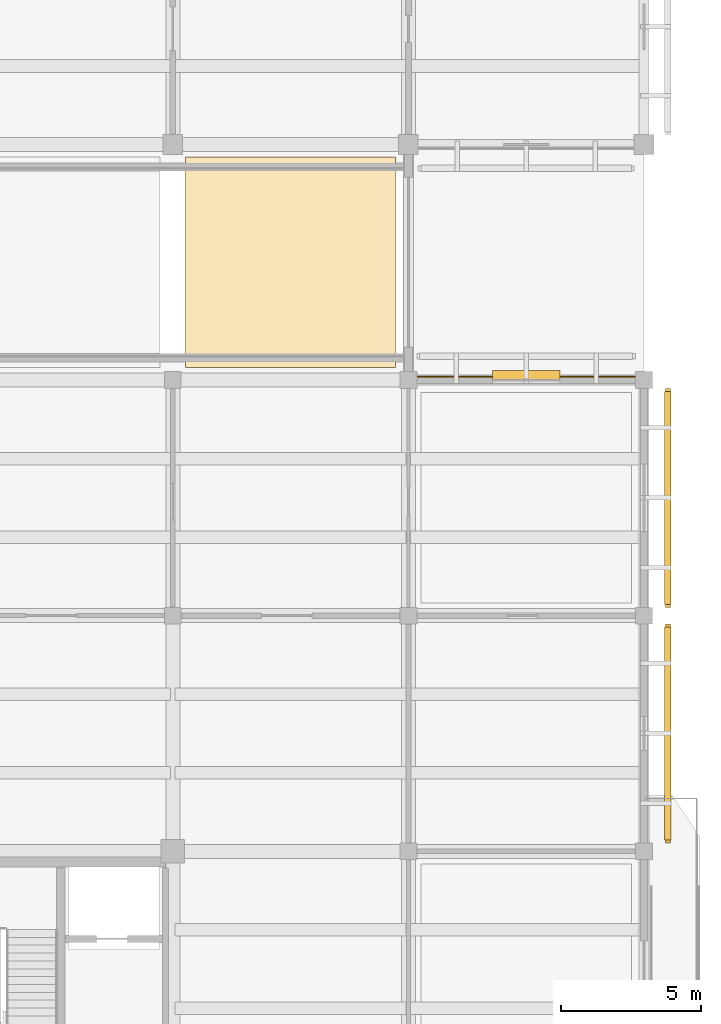
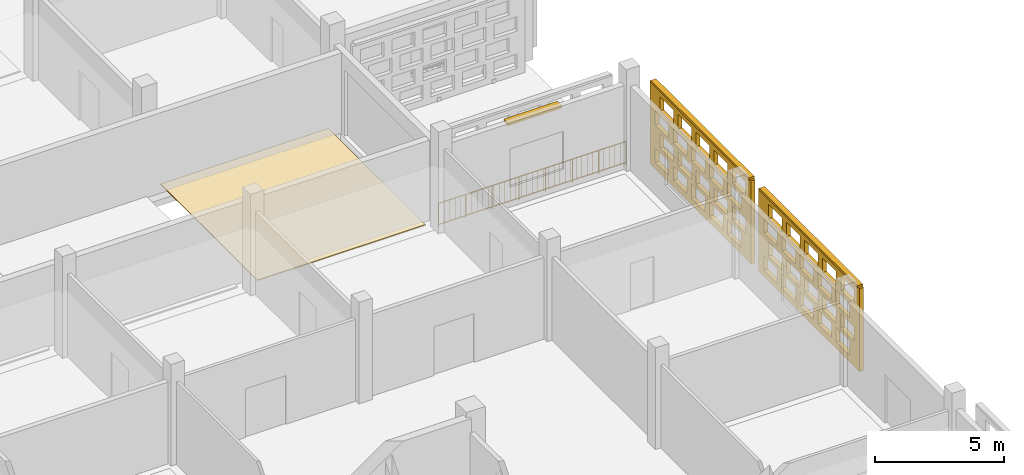
# One storey, part 120 of 129: 3 coverings, 3 shading devices, 1 railing, 40 openings.
"""IFC4 building model written with IfcOpenShell, lengths in metres."""

from ifc_helpers import new_model, si_unit, direction, frame, frame_2d, origin, origin_2d, place, context, subcontext, project, spatial, rectangle, circle, extrude, material, layer, layer_set, type_object, element, save


model = new_model("IFC4")

# Units and contexts
model_context = context("Model", 3, precision=1e-05, world=origin(), true_north=direction((0.0, 1.0)))
body_context = subcontext(model_context, "Body", "Model", "MODEL_VIEW")
ifc_project = project(units=[si_unit("LENGTHUNIT", "METRE"), si_unit("AREAUNIT", "SQUARE_METRE"), si_unit("VOLUMEUNIT", "CUBIC_METRE"), si_unit("PLANEANGLEUNIT", "RADIAN"), si_unit("MASSUNIT", "GRAM", prefix="KILO")], contexts=[model_context])

# Site, building, storey
site_placement = place(None, origin())
site = spatial("IfcSite", under=ifc_project, at=site_placement, CompositionType="ELEMENT")
building_placement = place(site_placement, origin())
building = spatial("IfcBuilding", under=site, at=building_placement, Name="Varnapada Polytechnic", CompositionType="ELEMENT")
storey_placement = place(building_placement, origin())
storey = spatial("IfcBuildingStorey", under=building, at=storey_placement, Name="L00", CompositionType="ELEMENT", Elevation=0.0)

# Covering
ifc_material_1 = material(Name="Acoustic Rubber Seminar Flooring")
ifc_layer_1 = layer(ifc_material_1, 0.0400390625)
ifc_layer_set_1 = layer_set([ifc_layer_1], Name="Acoustic Rubber Seminar Flooring")
covering_type_1 = type_object("IfcCoveringType", Name="Floor Finish FLR-06", PredefinedType="FLOORING", material=ifc_layer_set_1)
covering_1_placement = place(storey_placement, frame((163.800048828125, 54.60009765625, 0.0), z_axis=(0.0, 0.0, 1.0), x_axis=(1.0, 0.0, 0.0)))
element("IfcCovering", 1, at=covering_1_placement, inside=storey, type_object=covering_type_1, Name="L00 floor finish panel (20,7)", PredefinedType="FLOORING", context=body_context, shape_type="SweptSolid", body=[
    extrude(rectangle(XDim=7.5, YDim=7.5, at=origin_2d()), origin(), (0.0, 0.0, 1.0), 0.0400390625),
])

# Shading device
ifc_material_2 = material(Name="Anodised aluminium", Category="aluminium")
ifc_layer_2 = layer(ifc_material_2, 0.35009765625)
ifc_layer_set_2 = layer_set([ifc_layer_2], Name="Anodised aluminium")
shading_device_type_1 = type_object("IfcShadingDeviceType", Name="Solar Louvre LVR-01", PredefinedType="JALOUSIE", material=ifc_layer_set_2)
shading_device_placement = place(storey_placement, frame((172.199951171875, 50.580078125, 3.760009765625), z_axis=(0.0, 0.0, 1.0), x_axis=(1.0, 0.0, 0.0)))
element("IfcShadingDevice", 2, at=shading_device_placement, inside=storey, type_object=shading_device_type_1, Name="L00 aluminium sun louvre 103", PredefinedType="JALOUSIE", context=body_context, shape_type="SweptSolid", body=[
    extrude(rectangle(XDim=2.39990234375, YDim=0.340087890625, at=origin_2d()), origin(), (0.0, 0.0, 1.0), 0.1201171875),
])

# Railing
ifc_material_3 = material(Name="Painted galvanized steel", Category="steel")
railing_type = type_object("IfcRailingType", Name="Terrace Guard Rail GRD-01", PredefinedType="BALUSTRADE", material=ifc_material_3)
railing_placement = place(storey_placement, frame((167.949951171875, 50.52001953125, 0.0)))
element("IfcRailing", 3, at=railing_placement, inside=storey, type_object=railing_type, Name="L00 vehicle ramp well guard 4", PredefinedType="BALUSTRADE", context=body_context, shape_type="SweptSolid", body=[
    extrude(circle(Radius=0.02392578125, at=origin_2d()), frame((0.0, 0.0, 1.09619140625), z_axis=(1.0, 0.0, 0.0), x_axis=(0.0, 1.0, 0.0)), (0.0, 0.0, 1.0), 8.3701171875),
    extrude(circle(Radius=0.02392578125, at=origin_2d()), frame((0.0, 0.0, 0.10009765625), z_axis=(1.0, 0.0, 0.0), x_axis=(0.0, 1.0, 0.0)), (0.0, 0.0, 1.0), 8.3701171875),
    extrude(circle(Radius=0.02099609375, at=origin_2d()), origin(), (0.0, 0.0, 1.0), 1.072021484375),
    extrude(circle(Radius=0.02099609375, at=origin_2d()), frame((1.19580078125, 0.0, 0.0)), (0.0, 0.0, 1.0), 1.072021484375),
    extrude(circle(Radius=0.02099609375, at=origin_2d()), frame((2.391357421875, 0.0, 0.0)), (0.0, 0.0, 1.0), 1.072021484375),
    extrude(circle(Radius=0.02099609375, at=origin_2d()), frame((3.587158203125, 0.0, 0.0)), (0.0, 0.0, 1.0), 1.072021484375),
    extrude(circle(Radius=0.02099609375, at=origin_2d()), frame((4.782958984375, 0.0, 0.0)), (0.0, 0.0, 1.0), 1.072021484375),
    extrude(circle(Radius=0.02099609375, at=origin_2d()), frame((5.978759765625, 0.0, 0.0)), (0.0, 0.0, 1.0), 1.072021484375),
    extrude(circle(Radius=0.02099609375, at=origin_2d()), frame((7.17431640625, 0.0, 0.0)), (0.0, 0.0, 1.0), 1.072021484375),
    extrude(circle(Radius=0.02099609375, at=origin_2d()), frame((8.3701171875, 0.0, 0.0)), (0.0, 0.0, 1.0), 1.072021484375),
    extrude(circle(Radius=0.010009765625, at=origin_2d()), frame((0.24609375, 0.0, 0.10009765625)), (0.0, 0.0, 1.0), 0.971923828125),
    extrude(circle(Radius=0.010009765625, at=origin_2d()), frame((0.492431640625, 0.0, 0.10009765625)), (0.0, 0.0, 1.0), 0.971923828125),
    extrude(circle(Radius=0.010009765625, at=origin_2d()), frame((0.738525390625, 0.0, 0.10009765625)), (0.0, 0.0, 1.0), 0.971923828125),
    extrude(circle(Radius=0.010009765625, at=origin_2d()), frame((0.984619140625, 0.0, 0.10009765625)), (0.0, 0.0, 1.0), 0.971923828125),
    extrude(circle(Radius=0.010009765625, at=origin_2d()), frame((1.23095703125, 0.0, 0.10009765625)), (0.0, 0.0, 1.0), 0.971923828125),
    extrude(circle(Radius=0.010009765625, at=origin_2d()), frame((1.47705078125, 0.0, 0.10009765625)), (0.0, 0.0, 1.0), 0.971923828125),
    extrude(circle(Radius=0.010009765625, at=origin_2d()), frame((1.72314453125, 0.0, 0.10009765625)), (0.0, 0.0, 1.0), 0.971923828125),
    extrude(circle(Radius=0.010009765625, at=origin_2d()), frame((1.969482421875, 0.0, 0.10009765625)), (0.0, 0.0, 1.0), 0.971923828125),
    extrude(circle(Radius=0.010009765625, at=origin_2d()), frame((2.215576171875, 0.0, 0.10009765625)), (0.0, 0.0, 1.0), 0.971923828125),
    extrude(circle(Radius=0.010009765625, at=origin_2d()), frame((2.4619140625, 0.0, 0.10009765625)), (0.0, 0.0, 1.0), 0.971923828125),
    extrude(circle(Radius=0.010009765625, at=origin_2d()), frame((2.7080078125, 0.0, 0.10009765625)), (0.0, 0.0, 1.0), 0.971923828125),
    extrude(circle(Radius=0.010009765625, at=origin_2d()), frame((2.9541015625, 0.0, 0.10009765625)), (0.0, 0.0, 1.0), 0.971923828125),
    extrude(circle(Radius=0.010009765625, at=origin_2d()), frame((3.200439453125, 0.0, 0.10009765625)), (0.0, 0.0, 1.0), 0.971923828125),
    extrude(circle(Radius=0.010009765625, at=origin_2d()), frame((3.446533203125, 0.0, 0.10009765625)), (0.0, 0.0, 1.0), 0.971923828125),
    extrude(circle(Radius=0.010009765625, at=origin_2d()), frame((3.692626953125, 0.0, 0.10009765625)), (0.0, 0.0, 1.0), 0.971923828125),
    extrude(circle(Radius=0.010009765625, at=origin_2d()), frame((3.93896484375, 0.0, 0.10009765625)), (0.0, 0.0, 1.0), 0.971923828125),
    extrude(circle(Radius=0.010009765625, at=origin_2d()), frame((4.18505859375, 0.0, 0.10009765625)), (0.0, 0.0, 1.0), 0.971923828125),
    extrude(circle(Radius=0.010009765625, at=origin_2d()), frame((4.43115234375, 0.0, 0.10009765625)), (0.0, 0.0, 1.0), 0.971923828125),
    extrude(circle(Radius=0.010009765625, at=origin_2d()), frame((4.677490234375, 0.0, 0.10009765625)), (0.0, 0.0, 1.0), 0.971923828125),
    extrude(circle(Radius=0.010009765625, at=origin_2d()), frame((4.923583984375, 0.0, 0.10009765625)), (0.0, 0.0, 1.0), 0.971923828125),
    extrude(circle(Radius=0.010009765625, at=origin_2d()), frame((5.169677734375, 0.0, 0.10009765625)), (0.0, 0.0, 1.0), 0.971923828125),
    extrude(circle(Radius=0.010009765625, at=origin_2d()), frame((5.416015625, 0.0, 0.10009765625)), (0.0, 0.0, 1.0), 0.971923828125),
    extrude(circle(Radius=0.010009765625, at=origin_2d()), frame((5.662109375, 0.0, 0.10009765625)), (0.0, 0.0, 1.0), 0.971923828125),
    extrude(circle(Radius=0.010009765625, at=origin_2d()), frame((5.908203125, 0.0, 0.10009765625)), (0.0, 0.0, 1.0), 0.971923828125),
    extrude(circle(Radius=0.010009765625, at=origin_2d()), frame((6.154541015625, 0.0, 0.10009765625)), (0.0, 0.0, 1.0), 0.971923828125),
    extrude(circle(Radius=0.010009765625, at=origin_2d()), frame((6.400634765625, 0.0, 0.10009765625)), (0.0, 0.0, 1.0), 0.971923828125),
    extrude(circle(Radius=0.010009765625, at=origin_2d()), frame((6.64697265625, 0.0, 0.10009765625)), (0.0, 0.0, 1.0), 0.971923828125),
    extrude(circle(Radius=0.010009765625, at=origin_2d()), frame((6.89306640625, 0.0, 0.10009765625)), (0.0, 0.0, 1.0), 0.971923828125),
    extrude(circle(Radius=0.010009765625, at=origin_2d()), frame((7.13916015625, 0.0, 0.10009765625)), (0.0, 0.0, 1.0), 0.971923828125),
    extrude(circle(Radius=0.010009765625, at=origin_2d()), frame((7.385498046875, 0.0, 0.10009765625)), (0.0, 0.0, 1.0), 0.971923828125),
    extrude(circle(Radius=0.010009765625, at=origin_2d()), frame((7.631591796875, 0.0, 0.10009765625)), (0.0, 0.0, 1.0), 0.971923828125),
    extrude(circle(Radius=0.010009765625, at=origin_2d()), frame((7.877685546875, 0.0, 0.10009765625)), (0.0, 0.0, 1.0), 0.971923828125),
    extrude(circle(Radius=0.010009765625, at=origin_2d()), frame((8.1240234375, 0.0, 0.10009765625)), (0.0, 0.0, 1.0), 0.971923828125),
])

# Covering, openings
ifc_material_4 = material(Name="Earth-toned architectural terracotta screen block", Category="masonry")
ifc_layer_3 = layer(ifc_material_4, 0.1201171875)
ifc_layer_set_3 = layer_set([ifc_layer_3], Name="Earth-toned architectural terracotta screen block")
covering_type_2 = type_object("IfcCoveringType", Name="Terracotta Screen Cladding CLD-01", PredefinedType="CLADDING", material=ifc_layer_set_3)
covering_2_placement = place(storey_placement, frame((177.25, 41.699951171875, 0.0), z_axis=(0.0, 0.0, 1.0), x_axis=(0.0, -1.0, 0.0)))
covering_2 = element("IfcCovering", 4, at=covering_2_placement, inside=storey, type_object=covering_type_2, Name="L00 perforated terracotta block screen (102)", PredefinedType="CLADDING", context=body_context, shape_type="SweptSolid", body=[
    extrude(rectangle(XDim=7.800048828125, YDim=0.179931640625, at=frame_2d((3.89990234375, 0.0))), origin(), (0.0, 0.0, 1.0), 3.919921875),
])
opening_1_placement = place(covering_2_placement, frame((0.39990234375, 0.0, 0.313720703125)))
element("IfcOpeningElement", 5, at=opening_1_placement, cuts=covering_2, Name="Screen perforation TBS-L00-101.1", PredefinedType="OPENING", context=body_context, shape_type="SweptSolid", body=[
    extrude(rectangle(XDim=1.0400390625, YDim=0.679931640625, at=frame_2d((0.52001953125, 0.33984375))), frame((0.0, 0.099853515625, 0.0), z_axis=(0.0, -1.0, 0.0), x_axis=(1.0, 0.0, 0.0)), (0.0, 0.0, 1.0), 0.199951171875),
])
opening_2_placement = place(covering_2_placement, frame((1.800048828125, 0.0, 0.313720703125)))
element("IfcOpeningElement", 6, at=opening_2_placement, cuts=covering_2, Name="Screen perforation TBS-L00-101.2", PredefinedType="OPENING", context=body_context, shape_type="SweptSolid", body=[
    extrude(rectangle(XDim=1.0400390625, YDim=0.679931640625, at=frame_2d((0.52001953125, 0.33984375))), frame((0.0, 0.099853515625, 0.0), z_axis=(0.0, -1.0, 0.0), x_axis=(1.0, 0.0, 0.0)), (0.0, 0.0, 1.0), 0.199951171875),
])
opening_3_placement = place(covering_2_placement, frame((3.199951171875, 0.0, 0.313720703125)))
element("IfcOpeningElement", 7, at=opening_3_placement, cuts=covering_2, Name="Screen perforation TBS-L00-101.3", PredefinedType="OPENING", context=body_context, shape_type="SweptSolid", body=[
    extrude(rectangle(XDim=1.0400390625, YDim=0.679931640625, at=frame_2d((0.52001953125, 0.33984375))), frame((0.0, 0.099853515625, 0.0), z_axis=(0.0, -1.0, 0.0), x_axis=(1.0, 0.0, 0.0)), (0.0, 0.0, 1.0), 0.199951171875),
])
opening_4_placement = place(covering_2_placement, frame((4.60009765625, 0.0, 0.313720703125)))
element("IfcOpeningElement", 8, at=opening_4_placement, cuts=covering_2, Name="Screen perforation TBS-L00-101.4", PredefinedType="OPENING", context=body_context, shape_type="SweptSolid", body=[
    extrude(rectangle(XDim=1.0400390625, YDim=0.679931640625, at=frame_2d((0.52001953125, 0.33984375))), frame((0.0, 0.099853515625, 0.0), z_axis=(0.0, -1.0, 0.0), x_axis=(1.0, 0.0, 0.0)), (0.0, 0.0, 1.0), 0.199951171875),
])
opening_5_placement = place(covering_2_placement, frame((6.0, 0.0, 0.313720703125)))
element("IfcOpeningElement", 9, at=opening_5_placement, cuts=covering_2, Name="Screen perforation TBS-L00-101.5", PredefinedType="OPENING", context=body_context, shape_type="SweptSolid", body=[
    extrude(rectangle(XDim=1.0400390625, YDim=0.679931640625, at=frame_2d((0.52001953125, 0.33984375))), frame((0.0, 0.099853515625, 0.0), z_axis=(0.0, -1.0, 0.0), x_axis=(1.0, 0.0, 0.0)), (0.0, 0.0, 1.0), 0.199951171875),
])
opening_6_placement = place(covering_2_placement, frame((0.760009765625, 0.0, 1.195556640625)))
element("IfcOpeningElement", 10, at=opening_6_placement, cuts=covering_2, Name="Screen perforation TBS-L00-101.6", PredefinedType="OPENING", context=body_context, shape_type="SweptSolid", body=[
    extrude(rectangle(XDim=1.0400390625, YDim=0.679931640625, at=frame_2d((0.52001953125, 0.33984375))), frame((0.0, 0.099853515625, 0.0), z_axis=(0.0, -1.0, 0.0), x_axis=(1.0, 0.0, 0.0)), (0.0, 0.0, 1.0), 0.199951171875),
])
opening_7_placement = place(covering_2_placement, frame((2.159912109375, 0.0, 1.195556640625)))
element("IfcOpeningElement", 11, at=opening_7_placement, cuts=covering_2, Name="Screen perforation TBS-L00-101.7", PredefinedType="OPENING", context=body_context, shape_type="SweptSolid", body=[
    extrude(rectangle(XDim=1.0400390625, YDim=0.679931640625, at=frame_2d((0.52001953125, 0.33984375))), frame((0.0, 0.099853515625, 0.0), z_axis=(0.0, -1.0, 0.0), x_axis=(1.0, 0.0, 0.0)), (0.0, 0.0, 1.0), 0.199951171875),
])
opening_8_placement = place(covering_2_placement, frame((3.56005859375, 0.0, 1.195556640625)))
element("IfcOpeningElement", 12, at=opening_8_placement, cuts=covering_2, Name="Screen perforation TBS-L00-101.8", PredefinedType="OPENING", context=body_context, shape_type="SweptSolid", body=[
    extrude(rectangle(XDim=1.0400390625, YDim=0.679931640625, at=frame_2d((0.52001953125, 0.33984375))), frame((0.0, 0.099853515625, 0.0), z_axis=(0.0, -1.0, 0.0), x_axis=(1.0, 0.0, 0.0)), (0.0, 0.0, 1.0), 0.199951171875),
])
opening_9_placement = place(covering_2_placement, frame((4.9599609375, 0.0, 1.195556640625)))
element("IfcOpeningElement", 13, at=opening_9_placement, cuts=covering_2, Name="Screen perforation TBS-L00-101.9", PredefinedType="OPENING", context=body_context, shape_type="SweptSolid", body=[
    extrude(rectangle(XDim=1.0400390625, YDim=0.679931640625, at=frame_2d((0.52001953125, 0.33984375))), frame((0.0, 0.099853515625, 0.0), z_axis=(0.0, -1.0, 0.0), x_axis=(1.0, 0.0, 0.0)), (0.0, 0.0, 1.0), 0.199951171875),
])
opening_10_placement = place(covering_2_placement, frame((6.360107421875, 0.0, 1.195556640625)))
element("IfcOpeningElement", 14, at=opening_10_placement, cuts=covering_2, Name="Screen perforation TBS-L00-101.10", PredefinedType="OPENING", context=body_context, shape_type="SweptSolid", body=[
    extrude(rectangle(XDim=1.0400390625, YDim=0.679931640625, at=frame_2d((0.52001953125, 0.33984375))), frame((0.0, 0.099853515625, 0.0), z_axis=(0.0, -1.0, 0.0), x_axis=(1.0, 0.0, 0.0)), (0.0, 0.0, 1.0), 0.199951171875),
])
opening_11_placement = place(covering_2_placement, frame((0.39990234375, 0.0, 2.07763671875)))
element("IfcOpeningElement", 15, at=opening_11_placement, cuts=covering_2, Name="Screen perforation TBS-L00-101.11", PredefinedType="OPENING", context=body_context, shape_type="SweptSolid", body=[
    extrude(rectangle(XDim=1.0400390625, YDim=0.679931640625, at=frame_2d((0.52001953125, 0.33984375))), frame((0.0, 0.099853515625, 0.0), z_axis=(0.0, -1.0, 0.0), x_axis=(1.0, 0.0, 0.0)), (0.0, 0.0, 1.0), 0.199951171875),
])
opening_12_placement = place(covering_2_placement, frame((1.800048828125, 0.0, 2.07763671875)))
element("IfcOpeningElement", 16, at=opening_12_placement, cuts=covering_2, Name="Screen perforation TBS-L00-101.12", PredefinedType="OPENING", context=body_context, shape_type="SweptSolid", body=[
    extrude(rectangle(XDim=1.0400390625, YDim=0.679931640625, at=frame_2d((0.52001953125, 0.33984375))), frame((0.0, 0.099853515625, 0.0), z_axis=(0.0, -1.0, 0.0), x_axis=(1.0, 0.0, 0.0)), (0.0, 0.0, 1.0), 0.199951171875),
])
opening_13_placement = place(covering_2_placement, frame((3.199951171875, 0.0, 2.07763671875)))
element("IfcOpeningElement", 17, at=opening_13_placement, cuts=covering_2, Name="Screen perforation TBS-L00-101.13", PredefinedType="OPENING", context=body_context, shape_type="SweptSolid", body=[
    extrude(rectangle(XDim=1.0400390625, YDim=0.679931640625, at=frame_2d((0.52001953125, 0.33984375))), frame((0.0, 0.099853515625, 0.0), z_axis=(0.0, -1.0, 0.0), x_axis=(1.0, 0.0, 0.0)), (0.0, 0.0, 1.0), 0.199951171875),
])
opening_14_placement = place(covering_2_placement, frame((4.60009765625, 0.0, 2.07763671875)))
element("IfcOpeningElement", 18, at=opening_14_placement, cuts=covering_2, Name="Screen perforation TBS-L00-101.14", PredefinedType="OPENING", context=body_context, shape_type="SweptSolid", body=[
    extrude(rectangle(XDim=1.0400390625, YDim=0.679931640625, at=frame_2d((0.52001953125, 0.33984375))), frame((0.0, 0.099853515625, 0.0), z_axis=(0.0, -1.0, 0.0), x_axis=(1.0, 0.0, 0.0)), (0.0, 0.0, 1.0), 0.199951171875),
])
opening_15_placement = place(covering_2_placement, frame((6.0, 0.0, 2.07763671875)))
element("IfcOpeningElement", 19, at=opening_15_placement, cuts=covering_2, Name="Screen perforation TBS-L00-101.15", PredefinedType="OPENING", context=body_context, shape_type="SweptSolid", body=[
    extrude(rectangle(XDim=1.0400390625, YDim=0.679931640625, at=frame_2d((0.52001953125, 0.33984375))), frame((0.0, 0.099853515625, 0.0), z_axis=(0.0, -1.0, 0.0), x_axis=(1.0, 0.0, 0.0)), (0.0, 0.0, 1.0), 0.199951171875),
])
opening_16_placement = place(covering_2_placement, frame((0.760009765625, 0.0, 2.959716796875)))
element("IfcOpeningElement", 20, at=opening_16_placement, cuts=covering_2, Name="Screen perforation TBS-L00-101.16", PredefinedType="OPENING", context=body_context, shape_type="SweptSolid", body=[
    extrude(rectangle(XDim=1.0400390625, YDim=0.679931640625, at=frame_2d((0.52001953125, 0.33984375))), frame((0.0, 0.099853515625, 0.0), z_axis=(0.0, -1.0, 0.0), x_axis=(1.0, 0.0, 0.0)), (0.0, 0.0, 1.0), 0.199951171875),
])
opening_17_placement = place(covering_2_placement, frame((2.159912109375, 0.0, 2.959716796875)))
element("IfcOpeningElement", 21, at=opening_17_placement, cuts=covering_2, Name="Screen perforation TBS-L00-101.17", PredefinedType="OPENING", context=body_context, shape_type="SweptSolid", body=[
    extrude(rectangle(XDim=1.0400390625, YDim=0.679931640625, at=frame_2d((0.52001953125, 0.33984375))), frame((0.0, 0.099853515625, 0.0), z_axis=(0.0, -1.0, 0.0), x_axis=(1.0, 0.0, 0.0)), (0.0, 0.0, 1.0), 0.199951171875),
])
opening_18_placement = place(covering_2_placement, frame((3.56005859375, 0.0, 2.959716796875)))
element("IfcOpeningElement", 22, at=opening_18_placement, cuts=covering_2, Name="Screen perforation TBS-L00-101.18", PredefinedType="OPENING", context=body_context, shape_type="SweptSolid", body=[
    extrude(rectangle(XDim=1.0400390625, YDim=0.679931640625, at=frame_2d((0.52001953125, 0.33984375))), frame((0.0, 0.099853515625, 0.0), z_axis=(0.0, -1.0, 0.0), x_axis=(1.0, 0.0, 0.0)), (0.0, 0.0, 1.0), 0.199951171875),
])
opening_19_placement = place(covering_2_placement, frame((4.9599609375, 0.0, 2.959716796875)))
element("IfcOpeningElement", 23, at=opening_19_placement, cuts=covering_2, Name="Screen perforation TBS-L00-101.19", PredefinedType="OPENING", context=body_context, shape_type="SweptSolid", body=[
    extrude(rectangle(XDim=1.0400390625, YDim=0.679931640625, at=frame_2d((0.52001953125, 0.33984375))), frame((0.0, 0.099853515625, 0.0), z_axis=(0.0, -1.0, 0.0), x_axis=(1.0, 0.0, 0.0)), (0.0, 0.0, 1.0), 0.199951171875),
])
opening_20_placement = place(covering_2_placement, frame((6.360107421875, 0.0, 2.959716796875)))
element("IfcOpeningElement", 24, at=opening_20_placement, cuts=covering_2, Name="Screen perforation TBS-L00-101.20", PredefinedType="OPENING", context=body_context, shape_type="SweptSolid", body=[
    extrude(rectangle(XDim=1.0400390625, YDim=0.679931640625, at=frame_2d((0.52001953125, 0.33984375))), frame((0.0, 0.099853515625, 0.0), z_axis=(0.0, -1.0, 0.0), x_axis=(1.0, 0.0, 0.0)), (0.0, 0.0, 1.0), 0.199951171875),
])

covering_3_placement = place(storey_placement, frame((177.25, 50.10009765625, 0.0), z_axis=(0.0, 0.0, 1.0), x_axis=(0.0, -1.0, 0.0)))
covering_3 = element("IfcCovering", 25, at=covering_3_placement, inside=storey, type_object=covering_type_2, Name="L00 perforated terracotta block screen (104)", PredefinedType="CLADDING", context=body_context, shape_type="SweptSolid", body=[
    extrude(rectangle(XDim=7.800048828125, YDim=0.179931640625, at=frame_2d((3.89990234375, 0.0))), origin(), (0.0, 0.0, 1.0), 3.919921875),
])
opening_21_placement = place(covering_3_placement, frame((0.39990234375, 0.0, 0.313720703125)))
element("IfcOpeningElement", 26, at=opening_21_placement, cuts=covering_3, Name="Screen perforation TBS-L00-103.1", PredefinedType="OPENING", context=body_context, shape_type="SweptSolid", body=[
    extrude(rectangle(XDim=1.0400390625, YDim=0.679931640625, at=frame_2d((0.52001953125, 0.33984375))), frame((0.0, 0.099853515625, 0.0), z_axis=(0.0, -1.0, 0.0), x_axis=(1.0, 0.0, 0.0)), (0.0, 0.0, 1.0), 0.199951171875),
])
opening_22_placement = place(covering_3_placement, frame((1.800048828125, 0.0, 0.313720703125)))
element("IfcOpeningElement", 27, at=opening_22_placement, cuts=covering_3, Name="Screen perforation TBS-L00-103.2", PredefinedType="OPENING", context=body_context, shape_type="SweptSolid", body=[
    extrude(rectangle(XDim=1.0400390625, YDim=0.679931640625, at=frame_2d((0.52001953125, 0.33984375))), frame((0.0, 0.099853515625, 0.0), z_axis=(0.0, -1.0, 0.0), x_axis=(1.0, 0.0, 0.0)), (0.0, 0.0, 1.0), 0.199951171875),
])
opening_23_placement = place(covering_3_placement, frame((3.199951171875, 0.0, 0.313720703125)))
element("IfcOpeningElement", 28, at=opening_23_placement, cuts=covering_3, Name="Screen perforation TBS-L00-103.3", PredefinedType="OPENING", context=body_context, shape_type="SweptSolid", body=[
    extrude(rectangle(XDim=1.0400390625, YDim=0.679931640625, at=frame_2d((0.52001953125, 0.33984375))), frame((0.0, 0.099853515625, 0.0), z_axis=(0.0, -1.0, 0.0), x_axis=(1.0, 0.0, 0.0)), (0.0, 0.0, 1.0), 0.199951171875),
])
opening_24_placement = place(covering_3_placement, frame((4.60009765625, 0.0, 0.313720703125)))
element("IfcOpeningElement", 29, at=opening_24_placement, cuts=covering_3, Name="Screen perforation TBS-L00-103.4", PredefinedType="OPENING", context=body_context, shape_type="SweptSolid", body=[
    extrude(rectangle(XDim=1.0400390625, YDim=0.679931640625, at=frame_2d((0.52001953125, 0.33984375))), frame((0.0, 0.099853515625, 0.0), z_axis=(0.0, -1.0, 0.0), x_axis=(1.0, 0.0, 0.0)), (0.0, 0.0, 1.0), 0.199951171875),
])
opening_25_placement = place(covering_3_placement, frame((6.0, 0.0, 0.313720703125)))
element("IfcOpeningElement", 30, at=opening_25_placement, cuts=covering_3, Name="Screen perforation TBS-L00-103.5", PredefinedType="OPENING", context=body_context, shape_type="SweptSolid", body=[
    extrude(rectangle(XDim=1.0400390625, YDim=0.679931640625, at=frame_2d((0.52001953125, 0.33984375))), frame((0.0, 0.099853515625, 0.0), z_axis=(0.0, -1.0, 0.0), x_axis=(1.0, 0.0, 0.0)), (0.0, 0.0, 1.0), 0.199951171875),
])
opening_26_placement = place(covering_3_placement, frame((0.760009765625, 0.0, 1.195556640625)))
element("IfcOpeningElement", 31, at=opening_26_placement, cuts=covering_3, Name="Screen perforation TBS-L00-103.6", PredefinedType="OPENING", context=body_context, shape_type="SweptSolid", body=[
    extrude(rectangle(XDim=1.0400390625, YDim=0.679931640625, at=frame_2d((0.52001953125, 0.33984375))), frame((0.0, 0.099853515625, 0.0), z_axis=(0.0, -1.0, 0.0), x_axis=(1.0, 0.0, 0.0)), (0.0, 0.0, 1.0), 0.199951171875),
])
opening_27_placement = place(covering_3_placement, frame((2.159912109375, 0.0, 1.195556640625)))
element("IfcOpeningElement", 32, at=opening_27_placement, cuts=covering_3, Name="Screen perforation TBS-L00-103.7", PredefinedType="OPENING", context=body_context, shape_type="SweptSolid", body=[
    extrude(rectangle(XDim=1.0400390625, YDim=0.679931640625, at=frame_2d((0.52001953125, 0.33984375))), frame((0.0, 0.099853515625, 0.0), z_axis=(0.0, -1.0, 0.0), x_axis=(1.0, 0.0, 0.0)), (0.0, 0.0, 1.0), 0.199951171875),
])
opening_28_placement = place(covering_3_placement, frame((3.56005859375, 0.0, 1.195556640625)))
element("IfcOpeningElement", 33, at=opening_28_placement, cuts=covering_3, Name="Screen perforation TBS-L00-103.8", PredefinedType="OPENING", context=body_context, shape_type="SweptSolid", body=[
    extrude(rectangle(XDim=1.0400390625, YDim=0.679931640625, at=frame_2d((0.52001953125, 0.33984375))), frame((0.0, 0.099853515625, 0.0), z_axis=(0.0, -1.0, 0.0), x_axis=(1.0, 0.0, 0.0)), (0.0, 0.0, 1.0), 0.199951171875),
])
opening_29_placement = place(covering_3_placement, frame((4.9599609375, 0.0, 1.195556640625)))
element("IfcOpeningElement", 34, at=opening_29_placement, cuts=covering_3, Name="Screen perforation TBS-L00-103.9", PredefinedType="OPENING", context=body_context, shape_type="SweptSolid", body=[
    extrude(rectangle(XDim=1.0400390625, YDim=0.679931640625, at=frame_2d((0.52001953125, 0.33984375))), frame((0.0, 0.099853515625, 0.0), z_axis=(0.0, -1.0, 0.0), x_axis=(1.0, 0.0, 0.0)), (0.0, 0.0, 1.0), 0.199951171875),
])
opening_30_placement = place(covering_3_placement, frame((6.360107421875, 0.0, 1.195556640625)))
element("IfcOpeningElement", 35, at=opening_30_placement, cuts=covering_3, Name="Screen perforation TBS-L00-103.10", PredefinedType="OPENING", context=body_context, shape_type="SweptSolid", body=[
    extrude(rectangle(XDim=1.0400390625, YDim=0.679931640625, at=frame_2d((0.52001953125, 0.33984375))), frame((0.0, 0.099853515625, 0.0), z_axis=(0.0, -1.0, 0.0), x_axis=(1.0, 0.0, 0.0)), (0.0, 0.0, 1.0), 0.199951171875),
])
opening_31_placement = place(covering_3_placement, frame((0.39990234375, 0.0, 2.07763671875)))
element("IfcOpeningElement", 36, at=opening_31_placement, cuts=covering_3, Name="Screen perforation TBS-L00-103.11", PredefinedType="OPENING", context=body_context, shape_type="SweptSolid", body=[
    extrude(rectangle(XDim=1.0400390625, YDim=0.679931640625, at=frame_2d((0.52001953125, 0.33984375))), frame((0.0, 0.099853515625, 0.0), z_axis=(0.0, -1.0, 0.0), x_axis=(1.0, 0.0, 0.0)), (0.0, 0.0, 1.0), 0.199951171875),
])
opening_32_placement = place(covering_3_placement, frame((1.800048828125, 0.0, 2.07763671875)))
element("IfcOpeningElement", 37, at=opening_32_placement, cuts=covering_3, Name="Screen perforation TBS-L00-103.12", PredefinedType="OPENING", context=body_context, shape_type="SweptSolid", body=[
    extrude(rectangle(XDim=1.0400390625, YDim=0.679931640625, at=frame_2d((0.52001953125, 0.33984375))), frame((0.0, 0.099853515625, 0.0), z_axis=(0.0, -1.0, 0.0), x_axis=(1.0, 0.0, 0.0)), (0.0, 0.0, 1.0), 0.199951171875),
])
opening_33_placement = place(covering_3_placement, frame((3.199951171875, 0.0, 2.07763671875)))
element("IfcOpeningElement", 38, at=opening_33_placement, cuts=covering_3, Name="Screen perforation TBS-L00-103.13", PredefinedType="OPENING", context=body_context, shape_type="SweptSolid", body=[
    extrude(rectangle(XDim=1.0400390625, YDim=0.679931640625, at=frame_2d((0.52001953125, 0.33984375))), frame((0.0, 0.099853515625, 0.0), z_axis=(0.0, -1.0, 0.0), x_axis=(1.0, 0.0, 0.0)), (0.0, 0.0, 1.0), 0.199951171875),
])
opening_34_placement = place(covering_3_placement, frame((4.60009765625, 0.0, 2.07763671875)))
element("IfcOpeningElement", 39, at=opening_34_placement, cuts=covering_3, Name="Screen perforation TBS-L00-103.14", PredefinedType="OPENING", context=body_context, shape_type="SweptSolid", body=[
    extrude(rectangle(XDim=1.0400390625, YDim=0.679931640625, at=frame_2d((0.52001953125, 0.33984375))), frame((0.0, 0.099853515625, 0.0), z_axis=(0.0, -1.0, 0.0), x_axis=(1.0, 0.0, 0.0)), (0.0, 0.0, 1.0), 0.199951171875),
])
opening_35_placement = place(covering_3_placement, frame((6.0, 0.0, 2.07763671875)))
element("IfcOpeningElement", 40, at=opening_35_placement, cuts=covering_3, Name="Screen perforation TBS-L00-103.15", PredefinedType="OPENING", context=body_context, shape_type="SweptSolid", body=[
    extrude(rectangle(XDim=1.0400390625, YDim=0.679931640625, at=frame_2d((0.52001953125, 0.33984375))), frame((0.0, 0.099853515625, 0.0), z_axis=(0.0, -1.0, 0.0), x_axis=(1.0, 0.0, 0.0)), (0.0, 0.0, 1.0), 0.199951171875),
])
opening_36_placement = place(covering_3_placement, frame((0.760009765625, 0.0, 2.959716796875)))
element("IfcOpeningElement", 41, at=opening_36_placement, cuts=covering_3, Name="Screen perforation TBS-L00-103.16", PredefinedType="OPENING", context=body_context, shape_type="SweptSolid", body=[
    extrude(rectangle(XDim=1.0400390625, YDim=0.679931640625, at=frame_2d((0.52001953125, 0.33984375))), frame((0.0, 0.099853515625, 0.0), z_axis=(0.0, -1.0, 0.0), x_axis=(1.0, 0.0, 0.0)), (0.0, 0.0, 1.0), 0.199951171875),
])
opening_37_placement = place(covering_3_placement, frame((2.159912109375, 0.0, 2.959716796875)))
element("IfcOpeningElement", 42, at=opening_37_placement, cuts=covering_3, Name="Screen perforation TBS-L00-103.17", PredefinedType="OPENING", context=body_context, shape_type="SweptSolid", body=[
    extrude(rectangle(XDim=1.0400390625, YDim=0.679931640625, at=frame_2d((0.52001953125, 0.33984375))), frame((0.0, 0.099853515625, 0.0), z_axis=(0.0, -1.0, 0.0), x_axis=(1.0, 0.0, 0.0)), (0.0, 0.0, 1.0), 0.199951171875),
])
opening_38_placement = place(covering_3_placement, frame((3.56005859375, 0.0, 2.959716796875)))
element("IfcOpeningElement", 43, at=opening_38_placement, cuts=covering_3, Name="Screen perforation TBS-L00-103.18", PredefinedType="OPENING", context=body_context, shape_type="SweptSolid", body=[
    extrude(rectangle(XDim=1.0400390625, YDim=0.679931640625, at=frame_2d((0.52001953125, 0.33984375))), frame((0.0, 0.099853515625, 0.0), z_axis=(0.0, -1.0, 0.0), x_axis=(1.0, 0.0, 0.0)), (0.0, 0.0, 1.0), 0.199951171875),
])
opening_39_placement = place(covering_3_placement, frame((4.9599609375, 0.0, 2.959716796875)))
element("IfcOpeningElement", 44, at=opening_39_placement, cuts=covering_3, Name="Screen perforation TBS-L00-103.19", PredefinedType="OPENING", context=body_context, shape_type="SweptSolid", body=[
    extrude(rectangle(XDim=1.0400390625, YDim=0.679931640625, at=frame_2d((0.52001953125, 0.33984375))), frame((0.0, 0.099853515625, 0.0), z_axis=(0.0, -1.0, 0.0), x_axis=(1.0, 0.0, 0.0)), (0.0, 0.0, 1.0), 0.199951171875),
])
opening_40_placement = place(covering_3_placement, frame((6.360107421875, 0.0, 2.959716796875)))
element("IfcOpeningElement", 45, at=opening_40_placement, cuts=covering_3, Name="Screen perforation TBS-L00-103.20", PredefinedType="OPENING", context=body_context, shape_type="SweptSolid", body=[
    extrude(rectangle(XDim=1.0400390625, YDim=0.679931640625, at=frame_2d((0.52001953125, 0.33984375))), frame((0.0, 0.099853515625, 0.0), z_axis=(0.0, -1.0, 0.0), x_axis=(1.0, 0.0, 0.0)), (0.0, 0.0, 1.0), 0.199951171875),
])

# Shading devices
ifc_layer_4 = layer(ifc_material_4, 0.179931640625)
ifc_layer_set_4 = layer_set([ifc_layer_4], Name="Earth-toned architectural terracotta screen block")
shading_device_type_2 = type_object("IfcShadingDeviceType", Name="Terracotta Screen SCR-02", PredefinedType="USERDEFINED", material=ifc_layer_set_4)
for number, where, z_axis, x_axis, name in (
    (46, (177.25, 37.800048828125, 3.909912109375), (0.0, 0.0, 1.0), (0.0, -1.0, 0.0), "L00 perforated terracotta screen hood 73"),
    (47, (177.25, 46.199951171875, 3.909912109375), (0.0, 0.0, 1.0), (0.0, -1.0, 0.0), "L00 perforated terracotta screen hood 75"),
):
    element("IfcShadingDevice", number, at=place(storey_placement, frame(where, z_axis=z_axis, x_axis=x_axis)), inside=storey, type_object=shading_device_type_2, Name=name, ObjectType="SCREEN", PredefinedType="USERDEFINED", context=body_context, shape_type="SweptSolid", body=[
        extrude(rectangle(XDim=7.60009765625, YDim=0.239990234375, at=origin_2d()), origin(), (0.0, 0.0, 1.0), 0.10009765625),
    ])

save(model, "model.ifc")
